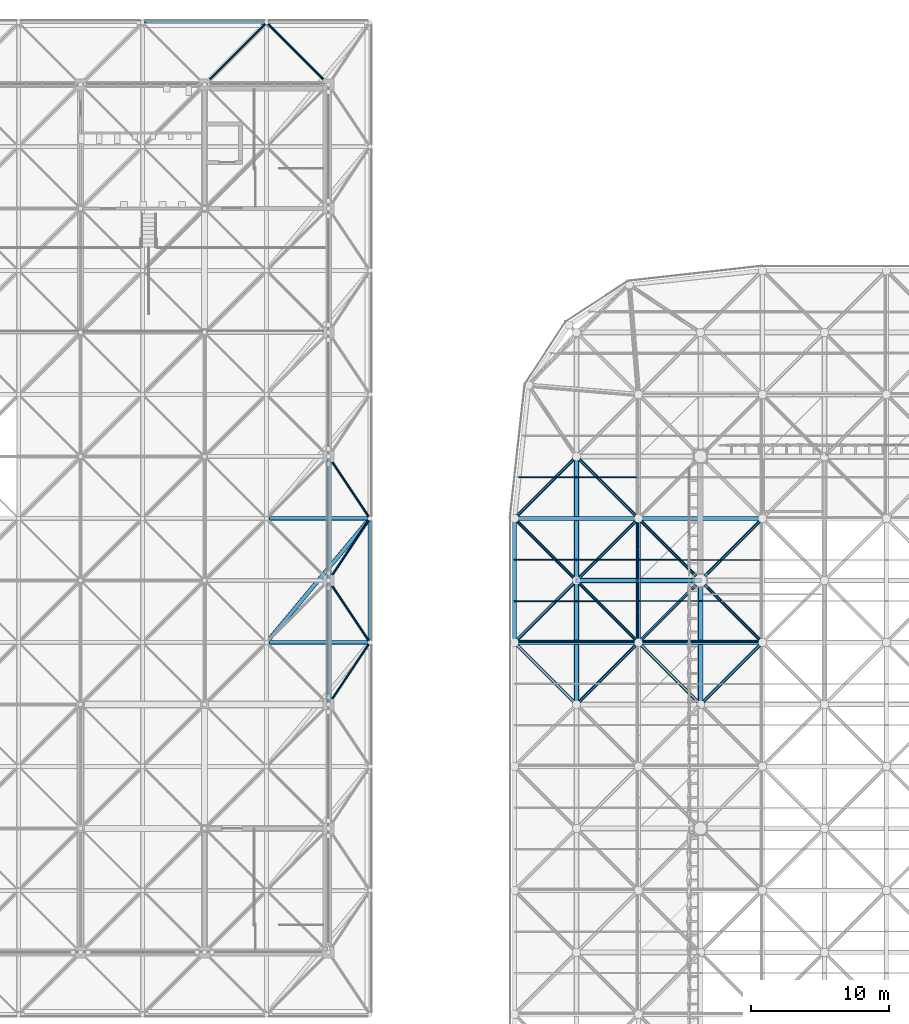
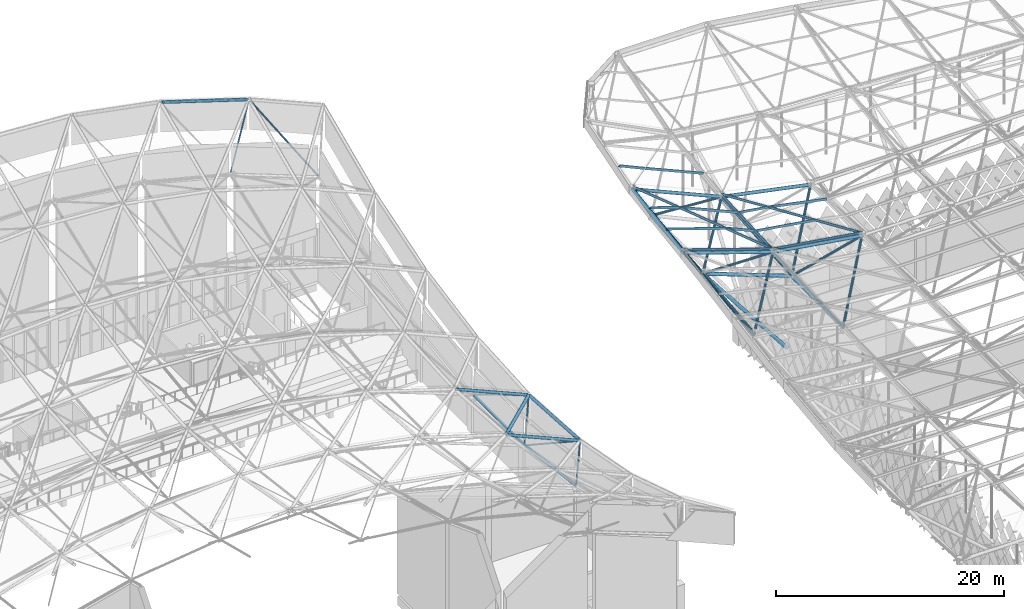
# One storey, part 144 of 437: 52 members.
"""IFC4 building model written with IfcOpenShell, lengths in metres."""

from ifc_helpers import new_model, si_unit, direction, frame, origin, origin_2d, place, context, subcontext, project, spatial, polyline, hollow_circle, outline, extrude, material, material_profile, profile_set, type_object, element, save


model = new_model("IFC4")

# Units and contexts
model_context = context("Model", 3, precision=1e-05, world=origin(), true_north=direction((0.0, 1.0)))
body_context = subcontext(model_context, "Body", "Model", "MODEL_VIEW")
ifc_project = project(units=[si_unit("LENGTHUNIT", "METRE"), si_unit("AREAUNIT", "SQUARE_METRE"), si_unit("VOLUMEUNIT", "CUBIC_METRE"), si_unit("PLANEANGLEUNIT", "RADIAN"), si_unit("MASSUNIT", "GRAM", prefix="KILO")], contexts=[model_context])

# Site, building, storey
site_placement = place(None, origin())
site = spatial("IfcSite", under=ifc_project, at=site_placement, CompositionType="ELEMENT")
building_placement = place(site_placement, origin())
building = spatial("IfcBuilding", under=site, at=building_placement, Name="Opaline Strait Convention Centre", CompositionType="ELEMENT")
storey_placement = place(building_placement, frame((0.0, 0.0, 11.5)))
storey = spatial("IfcBuildingStorey", under=building, at=storey_placement, Name="L02", CompositionType="ELEMENT", Elevation=11.5)

# Members
ifc_material = material(Name="Steel Q355B", Category="steel")
ifc_material_profile_1 = material_profile(ifc_material, hollow_circle(Radius=0.175537109375, WallThickness=0.01611328125, at=origin_2d()), Name="CHS 351x16")
ifc_profile_set_1 = profile_set([ifc_material_profile_1], Name="Steel Q355B")
member_type_1 = type_object("IfcMemberType", Name="Raking prop CHS 351x16", PredefinedType="BRACE", material=ifc_profile_set_1)
member_1_placement = place(storey_placement, frame((98.48388671875, 144.0, 5.0205078125), z_axis=(-0.614884902871, 0.0, 0.788616862755), x_axis=(0.0, -1.0, 0.0)))
element("IfcMember", 1, at=member_1_placement, inside=storey, type_object=member_type_1, Name="Raking prop 99/144 W", PredefinedType="BRACE", context=body_context, shape_type="SweptSolid", body=[
    extrude(hollow_circle(Radius=0.175537109375, WallThickness=0.01611328125, at=origin_2d()), origin(), (0.0, 0.0, 1.0), 13.84765625),
])
ifc_material_profile_2 = material_profile(ifc_material, outline(polyline([(-0.03759765625, -0.125), (0.03759765625, -0.125), (0.03759765625, -0.10498046875), (0.034912109375, -0.10498046875), (0.034912109375, -0.12255859375), (-0.034912109375, -0.12255859375), (-0.034912109375, 0.12255859375), (0.034912109375, 0.12255859375), (0.034912109375, 0.10498046875), (0.03759765625, 0.10498046875), (0.03759765625, 0.125), (-0.03759765625, 0.125), (-0.03759765625, -0.125)])), Name="C 250x75x20x2.5")
ifc_profile_set_2 = profile_set([ifc_material_profile_2], Name="Steel Q355B")
member_type_2 = type_object("IfcMemberType", Name="Roof purlin C 250x75x20x2.5", PredefinedType="PURLIN", material=ifc_profile_set_2)
member_2_placement = place(storey_placement, frame((94.5, 139.5, 19.666015625), z_axis=(-0.66838117447, 0.66838117447, 0.326394257346), x_axis=(-0.672492106724, -0.730507071966, 0.118801448655)))
element("IfcMember", 2, at=member_2_placement, inside=storey, type_object=member_type_2, Name="EXB-RF-F-0-11", PredefinedType="PURLIN", context=body_context, shape_type="SweptSolid", body=[
    extrude(outline(polyline([(-0.03759765625, -0.125), (0.03759765625, -0.125), (0.03759765625, -0.10498046875), (0.034912109375, -0.10498046875), (0.034912109375, -0.12255859375), (-0.034912109375, -0.12255859375), (-0.034912109375, 0.12255859375), (0.034912109375, 0.12255859375), (0.034912109375, 0.10498046875), (0.03759765625, 0.10498046875), (0.03759765625, 0.125), (-0.03759765625, 0.125), (-0.03759765625, -0.125)])), origin(), (0.0, 0.0, 1.0), 13.46533203125),
])
member_3_placement = place(storey_placement, frame((94.41162109375, 139.449951171875, 19.70654296875), z_axis=(0.0, 0.99882696864, 0.048421965239), x_axis=(-0.915532762336, -0.019477416429, 0.401771566115)))
element("IfcMember", 3, at=member_3_placement, inside=storey, type_object=member_type_2, Name="EXB-RF-E-0-11a", PredefinedType="PURLIN", context=body_context, shape_type="SweptSolid", body=[
    extrude(outline(polyline([(-0.03759765625, -0.125), (0.03759765625, -0.125), (0.03759765625, -0.10498046875), (0.034912109375, -0.10498046875), (0.034912109375, -0.12255859375), (-0.034912109375, -0.12255859375), (-0.034912109375, 0.12255859375), (0.034912109375, 0.12255859375), (0.034912109375, 0.10498046875), (0.03759765625, 0.10498046875), (0.03759765625, 0.125), (-0.03759765625, 0.125), (-0.03759765625, -0.125)])), origin(), (0.0, 0.0, 1.0), 9.11083984375),
])
member_4_placement = place(storey_placement, frame((91.550048828125, 142.5, 21.113037109375), z_axis=(0.9153499956, 0.0, -0.402659143142), x_axis=(0.019502042572, 0.998826427329, 0.044333265211)))
element("IfcMember", 4, at=member_4_placement, inside=storey, type_object=member_type_2, Name="EXB-RF-P-0-11-0a", PredefinedType="PURLIN", context=body_context, shape_type="SweptSolid", body=[
    extrude(outline(polyline([(-0.03759765625, -0.125), (0.03759765625, -0.125), (0.03759765625, -0.10498046875), (0.034912109375, -0.10498046875), (0.034912109375, -0.12255859375), (-0.034912109375, -0.12255859375), (-0.034912109375, 0.12255859375), (0.034912109375, 0.12255859375), (0.034912109375, 0.10498046875), (0.03759765625, 0.10498046875), (0.03759765625, 0.125), (-0.03759765625, 0.125), (-0.03759765625, -0.125)])), origin(), (0.0, 0.0, 1.0), 3.088623046875),
])
member_5_placement = place(storey_placement, frame((88.550048828125, 145.5, 22.578125), z_axis=(0.915356308677, 0.0, -0.402644791554), x_axis=(0.01950134748, 0.998826427329, 0.044333570973)))
element("IfcMember", 5, at=member_5_placement, inside=storey, type_object=member_type_2, Name="EXB-RF-P-0-11-1a", PredefinedType="PURLIN", context=body_context, shape_type="SweptSolid", body=[
    extrude(outline(polyline([(-0.03759765625, -0.125), (0.03759765625, -0.125), (0.03759765625, -0.10498046875), (0.034912109375, -0.10498046875), (0.034912109375, -0.12255859375), (-0.034912109375, -0.12255859375), (-0.034912109375, 0.12255859375), (0.034912109375, 0.12255859375), (0.034912109375, 0.10498046875), (0.03759765625, 0.10498046875), (0.03759765625, 0.125), (-0.03759765625, 0.125), (-0.03759765625, -0.125)])), origin(), (0.0, 0.0, 1.0), 6.365966796875),
])
member_6_placement = place(storey_placement, frame((94.550048828125, 139.556884765625, 19.657470703125), z_axis=(-0.94707556838, 0.0, 0.321010697294), x_axis=(-0.044974525914, -0.990136950451, -0.132688022709)))
element("IfcMember", 6, at=member_6_placement, inside=storey, type_object=member_type_2, Name="EXB-RF-E-0-11b", PredefinedType="PURLIN", context=body_context, shape_type="SweptSolid", body=[
    extrude(outline(polyline([(-0.03759765625, -0.125), (0.03759765625, -0.125), (0.03759765625, -0.10498046875), (0.034912109375, -0.10498046875), (0.034912109375, -0.12255859375), (-0.034912109375, -0.12255859375), (-0.034912109375, 0.12255859375), (0.034912109375, 0.12255859375), (0.034912109375, 0.10498046875), (0.03759765625, 0.10498046875), (0.03759765625, 0.125), (-0.03759765625, 0.125), (-0.03759765625, -0.125)])), origin(), (0.0, 0.0, 1.0), 9.608642578125),
])
member_7_placement = place(storey_placement, frame((85.5, 142.5, 23.16455078125), z_axis=(0.947070084803, 0.0, -0.321026874997), x_axis=(0.047436939725, 0.989022311823, 0.139945001577)))
element("IfcMember", 7, at=member_7_placement, inside=storey, type_object=member_type_2, Name="EXB-RF-P-0-11-0b", PredefinedType="PURLIN", context=body_context, shape_type="SweptSolid", body=[
    extrude(outline(polyline([(-0.03759765625, -0.125), (0.03759765625, -0.125), (0.03759765625, -0.10498046875), (0.034912109375, -0.10498046875), (0.034912109375, -0.12255859375), (-0.034912109375, -0.12255859375), (-0.034912109375, 0.12255859375), (0.034912109375, 0.12255859375), (0.034912109375, 0.10498046875), (0.03759765625, 0.10498046875), (0.03759765625, 0.125), (-0.03759765625, 0.125), (-0.03759765625, -0.125)])), origin(), (0.0, 0.0, 1.0), 6.282470703125),
])
member_8_placement = place(storey_placement, frame((85.5, 145.5, 23.612548828125), z_axis=(0.947088093086, 0.0, -0.320973743374), x_axis=(0.047429088664, 0.989022311823, 0.139947662594)))
element("IfcMember", 8, at=member_8_placement, inside=storey, type_object=member_type_2, Name="EXB-RF-P-0-11-1b", PredefinedType="PURLIN", context=body_context, shape_type="SweptSolid", body=[
    extrude(outline(polyline([(-0.03759765625, -0.125), (0.03759765625, -0.125), (0.03759765625, -0.10498046875), (0.034912109375, -0.10498046875), (0.034912109375, -0.12255859375), (-0.034912109375, -0.12255859375), (-0.034912109375, 0.12255859375), (0.034912109375, 0.12255859375), (0.034912109375, 0.10498046875), (0.03759765625, 0.10498046875), (0.03759765625, 0.125), (-0.03759765625, 0.125), (-0.03759765625, -0.125)])), origin(), (0.0, 0.0, 1.0), 3.11474609375),
])
member_9_placement = place(storey_placement, frame((103.5, 139.5, 18.25732421875), z_axis=(-0.699848198846, 0.699848198846, 0.142916049287), x_axis=(-0.697561791101, -0.712686479451, 0.074064361226)))
element("IfcMember", 9, at=member_9_placement, inside=storey, type_object=member_type_2, Name="EXB-RF-F-1-11", PredefinedType="PURLIN", context=body_context, shape_type="SweptSolid", body=[
    extrude(outline(polyline([(-0.03759765625, -0.125), (0.03759765625, -0.125), (0.03759765625, -0.10498046875), (0.034912109375, -0.10498046875), (0.034912109375, -0.12255859375), (-0.034912109375, -0.12255859375), (-0.034912109375, 0.12255859375), (0.034912109375, 0.12255859375), (0.034912109375, 0.10498046875), (0.03759765625, 0.10498046875), (0.03759765625, 0.125), (-0.03759765625, 0.125), (-0.03759765625, -0.125)])), origin(), (0.0, 0.0, 1.0), 12.85986328125),
])
member_10_placement = place(storey_placement, frame((97.550048828125, 145.5, 19.474609375), z_axis=(0.979783458898, 0.0, -0.200060924894), x_axis=(0.0, 1.0, 0.0)))
element("IfcMember", 10, at=member_10_placement, inside=storey, type_object=member_type_2, Name="EXB-RF-P-1-11-1a", PredefinedType="PURLIN", context=body_context, shape_type="SweptSolid", body=[
    extrude(outline(polyline([(-0.03759765625, -0.125), (0.03759765625, -0.125), (0.03759765625, -0.10498046875), (0.034912109375, -0.10498046875), (0.034912109375, -0.12255859375), (-0.034912109375, -0.12255859375), (-0.034912109375, 0.12255859375), (0.034912109375, 0.12255859375), (0.034912109375, 0.10498046875), (0.03759765625, 0.10498046875), (0.03759765625, 0.125), (-0.03759765625, 0.125), (-0.03759765625, -0.125)])), origin(), (0.0, 0.0, 1.0), 5.972412109375),
])
member_11_placement = place(storey_placement, frame((103.550048828125, 139.545654296875, 18.2529296875), z_axis=(-0.988093016125, 0.0, 0.153857698814), x_axis=(-0.007363297001, -0.998854157138, -0.047287996623)))
element("IfcMember", 11, at=member_11_placement, inside=storey, type_object=member_type_2, Name="EXB-RF-E-1-11b", PredefinedType="PURLIN", context=body_context, shape_type="SweptSolid", body=[
    extrude(outline(polyline([(-0.03759765625, -0.125), (0.03759765625, -0.125), (0.03759765625, -0.10498046875), (0.034912109375, -0.10498046875), (0.034912109375, -0.12255859375), (-0.034912109375, -0.12255859375), (-0.034912109375, 0.12255859375), (0.034912109375, 0.12255859375), (0.034912109375, 0.10498046875), (0.03759765625, 0.10498046875), (0.03759765625, 0.125), (-0.03759765625, 0.125), (-0.03759765625, -0.125)])), origin(), (0.0, 0.0, 1.0), 9.209716796875),
])
member_12_placement = place(storey_placement, frame((94.5, 142.5, 19.805419921875), z_axis=(0.988092099011, 0.0, -0.153863588517), x_axis=(0.007452095164, 0.998826427329, 0.047856392952)))
element("IfcMember", 12, at=member_12_placement, inside=storey, type_object=member_type_2, Name="EXB-RF-P-1-11-0b", PredefinedType="PURLIN", context=body_context, shape_type="SweptSolid", body=[
    extrude(outline(polyline([(-0.03759765625, -0.125), (0.03759765625, -0.125), (0.03759765625, -0.10498046875), (0.034912109375, -0.10498046875), (0.034912109375, -0.12255859375), (-0.034912109375, -0.12255859375), (-0.034912109375, 0.12255859375), (0.034912109375, 0.12255859375), (0.034912109375, 0.10498046875), (0.03759765625, 0.10498046875), (0.03759765625, 0.125), (-0.03759765625, 0.125), (-0.03759765625, -0.125)])), origin(), (0.0, 0.0, 1.0), 6.021728515625),
])
member_13_placement = place(storey_placement, frame((94.5, 145.5, 19.950927734375), z_axis=(0.988086366005, 0.0, -0.153900400631), x_axis=(0.00745387809, 0.998826427329, 0.047856115284)))
element("IfcMember", 13, at=member_13_placement, inside=storey, type_object=member_type_2, Name="EXB-RF-P-1-11-1b", PredefinedType="PURLIN", context=body_context, shape_type="SweptSolid", body=[
    extrude(outline(polyline([(-0.03759765625, -0.125), (0.03759765625, -0.125), (0.03759765625, -0.10498046875), (0.034912109375, -0.10498046875), (0.034912109375, -0.12255859375), (-0.034912109375, -0.12255859375), (-0.034912109375, 0.12255859375), (0.034912109375, 0.12255859375), (0.034912109375, 0.10498046875), (0.03759765625, 0.10498046875), (0.03759765625, 0.125), (-0.03759765625, 0.125), (-0.03759765625, -0.125)])), origin(), (0.0, 0.0, 1.0), 2.985595703125),
])
member_14_placement = place(storey_placement, frame((88.550048828125, 151.5, 23.1142578125), z_axis=(0.915348391742, 0.0, -0.402662789111), x_axis=(0.051981759943, 0.991632228384, 0.118166916959)))
element("IfcMember", 14, at=member_14_placement, inside=storey, type_object=member_type_2, Name="EXB-RF-P-0-12-0a", PredefinedType="PURLIN", context=body_context, shape_type="SweptSolid", body=[
    extrude(outline(polyline([(-0.03759765625, -0.125), (0.03759765625, -0.125), (0.03759765625, -0.10498046875), (0.034912109375, -0.10498046875), (0.034912109375, -0.12255859375), (-0.034912109375, -0.12255859375), (-0.034912109375, 0.12255859375), (0.034912109375, 0.12255859375), (0.034912109375, 0.10498046875), (0.03759765625, 0.10498046875), (0.03759765625, 0.125), (-0.03759765625, 0.125), (-0.03759765625, -0.125)])), origin(), (0.0, 0.0, 1.0), 6.3662109375),
])
member_15_placement = place(storey_placement, frame((85.81884765625, 151.5, 24.355224609375), z_axis=(0.910418545684, 0.0, -0.413688375078), x_axis=(0.059244755496, 0.989692168796, 0.130382015517)))
element("IfcMember", 15, at=member_15_placement, inside=storey, type_object=member_type_2, Name="EXB-RF-P-0-12-0b", PredefinedType="PURLIN", context=body_context, shape_type="SweptSolid", body=[
    extrude(outline(polyline([(-0.03759765625, -0.125), (0.03759765625, -0.125), (0.03759765625, -0.10498046875), (0.034912109375, -0.10498046875), (0.034912109375, -0.12255859375), (-0.034912109375, -0.12255859375), (-0.034912109375, 0.12255859375), (0.034912109375, 0.12255859375), (0.034912109375, 0.10498046875), (0.03759765625, 0.10498046875), (0.03759765625, 0.125), (-0.03759765625, 0.125), (-0.03759765625, -0.125)])), origin(), (0.0, 0.0, 1.0), 2.889892578125),
])
ifc_material_profile_3 = material_profile(ifc_material, hollow_circle(Radius=0.136474609375, WallThickness=0.011962890625, at=origin_2d()), Name="CHS 273x12")
ifc_profile_set_3 = profile_set([ifc_material_profile_3], Name="Steel Q355B")
member_type_3 = type_object("IfcMemberType", Name="Shell truss bottom chord CHS 273x12", PredefinedType="CHORD", material=ifc_profile_set_3)
member_16_placement = place(storey_placement, frame((72.0, 135.14990234375, 4.961669921875), z_axis=(0.0, 0.992034447069, -0.125966883853), x_axis=(-1.0, 0.0, 0.0)))
element("IfcMember", 16, at=member_16_placement, inside=storey, type_object=member_type_3, Name="PBC1 bottom chord Y8-3", PredefinedType="CHORD", context=body_context, shape_type="SweptSolid", body=[
    extrude(hollow_circle(Radius=0.136474609375, WallThickness=0.011962890625, at=origin_2d()), origin(), (0.0, 0.0, 1.0), 8.77001953125),
])
member_17_placement = place(storey_placement, frame((72.0, 144.14990234375, 3.837890625), z_axis=(0.0, 1.0, 0.0), x_axis=(-1.0, 0.0, 0.0)))
element("IfcMember", 17, at=member_17_placement, inside=storey, type_object=member_type_3, Name="PBC1 bottom chord Y8-4", PredefinedType="CHORD", context=body_context, shape_type="SweptSolid", body=[
    extrude(hollow_circle(Radius=0.136474609375, WallThickness=0.011962890625, at=origin_2d()), origin(), (0.0, 0.0, 1.0), 8.7001953125),
])
ifc_material_profile_4 = material_profile(ifc_material, hollow_circle(Radius=0.1494140625, WallThickness=0.01611328125, at=origin_2d()), Name="CHS 299x16")
ifc_profile_set_4 = profile_set([ifc_material_profile_4], Name="Steel Q355B")
member_type_4 = type_object("IfcMemberType", Name="Shell truss top chord CHS 299x16", PredefinedType="CHORD", material=ifc_profile_set_4)
for number, where, z_axis, x_axis, name in (
    (18, (67.64990234375, 139.5, 9.20849609375), (0.917383800951, 0.0, -0.398003720777), (0.0, 1.0, 0.0), "PTC1 top chord X8-4"),
    (19, (67.64990234375, 148.5, 8.63720703125), (0.917372443158, 0.0, -0.398029899046), (0.0, 1.0, 0.0), "PTC1 top chord X8-5"),
):
    element("IfcMember", number, at=place(storey_placement, frame(where, z_axis=z_axis, x_axis=x_axis)), inside=storey, type_object=member_type_4, Name=name, PredefinedType="CHORD", context=body_context, shape_type="SweptSolid", body=[
        extrude(hollow_circle(Radius=0.1494140625, WallThickness=0.01611328125, at=origin_2d()), origin(), (0.0, 0.0, 1.0), 7.8486328125),
    ])
member_18_placement = place(storey_placement, frame((58.64990234375, 184.5, 20.654541015625), z_axis=(0.95312438958, 0.0, -0.302578746754), x_axis=(0.0, 1.0, 0.0)))
element("IfcMember", 20, at=member_18_placement, inside=storey, type_object=member_type_4, Name="PTC1 top chord X7-9", PredefinedType="CHORD", context=body_context, shape_type="SweptSolid", body=[
    extrude(hollow_circle(Radius=0.1494140625, WallThickness=0.01611328125, at=origin_2d()), origin(), (0.0, 0.0, 1.0), 9.128173828125),
])
member_19_placement = place(storey_placement, frame((75.0, 139.64990234375, 6.010009765625), z_axis=(0.0, 0.997991520688, -0.063347649001), x_axis=(-1.0, 0.0, 0.0)))
element("IfcMember", 21, at=member_19_placement, inside=storey, type_object=member_type_4, Name="PTC1 top chord Y9-4", PredefinedType="CHORD", context=body_context, shape_type="SweptSolid", body=[
    extrude(hollow_circle(Radius=0.1494140625, WallThickness=0.01611328125, at=origin_2d()), origin(), (0.0, 0.0, 1.0), 8.7177734375),
])
member_20_placement = place(storey_placement, frame((67.595947265625, 139.615234375, 9.224609375), z_axis=(0.608574043554, 0.730272587842, -0.310386180361), x_axis=(-0.768214267482, 0.640192814109, 0.0)))
element("IfcMember", 22, at=member_20_placement, inside=storey, type_object=member_type_4, Name="PTC1 top chord D8-4", PredefinedType="CHORD", context=body_context, shape_type="SweptSolid", body=[
    extrude(hollow_circle(Radius=0.1494140625, WallThickness=0.01611328125, at=origin_2d()), origin(), (0.0, 0.0, 1.0), 12.008544921875),
])
ifc_material_profile_5 = material_profile(ifc_material, hollow_circle(Radius=0.070068359375, WallThickness=0.008056640625, at=origin_2d()), Name="CHS 140x8")
ifc_profile_set_5 = profile_set([ifc_material_profile_5], Name="Steel Q355B")
member_type_5 = type_object("IfcMemberType", Name="Shell truss web CHS 140x8", PredefinedType="BRACE", material=ifc_profile_set_5)
member_21_placement = place(storey_placement, frame((63.106201171875, 180.106201171875, 14.211181640625), z_axis=(0.610386818671, 0.610386818671, 0.504832510033), x_axis=(-0.707106781187, 0.707106781187, 0.0)))
element("IfcMember", 23, at=member_21_placement, inside=storey, type_object=member_type_5, Name="PWB2 web 7-8bd", PredefinedType="BRACE", context=body_context, shape_type="SweptSolid", body=[
    extrude(hollow_circle(Radius=0.070068359375, WallThickness=0.008056640625, at=origin_2d()), origin(), (0.0, 0.0, 1.0), 7.0244140625),
])
ifc_material_profile_6 = material_profile(ifc_material, hollow_circle(Radius=0.083984375, WallThickness=0.010009765625, at=origin_2d()), Name="CHS 168x10")
ifc_profile_set_6 = profile_set([ifc_material_profile_6], Name="Steel Q355B")
member_type_6 = type_object("IfcMemberType", Name="Shell truss web CHS 168x10", PredefinedType="BRACE", material=ifc_profile_set_6)
member_22_placement = place(storey_placement, frame((72.083251953125, 135.124755859375, 5.009521484375), z_axis=(0.54472074795, 0.817128056333, 0.188629388765), x_axis=(-0.832064999387, 0.554678138018, 0.0)))
element("IfcMember", 24, at=member_22_placement, inside=storey, type_object=member_type_6, Name="PWB1 web 8-3bd", PredefinedType="BRACE", context=body_context, shape_type="SweptSolid", body=[
    extrude(hollow_circle(Radius=0.083984375, WallThickness=0.010009765625, at=origin_2d()), origin(), (0.0, 0.0, 1.0), 5.20166015625),
])
member_23_placement = place(storey_placement, frame((72.083251953125, 143.875244140625, 3.8984375), z_axis=(0.514406220671, -0.771653653444, 0.374081380533), x_axis=(0.832064999387, 0.554678138018, 0.0)))
element("IfcMember", 25, at=member_23_placement, inside=storey, type_object=member_type_6, Name="PWB1 web 8-4bc", PredefinedType="BRACE", context=body_context, shape_type="SweptSolid", body=[
    extrude(hollow_circle(Radius=0.083984375, WallThickness=0.010009765625, at=origin_2d()), origin(), (0.0, 0.0, 1.0), 5.50830078125),
])
for number, where, z_axis, x_axis, name in (
    (26, (72.083251953125, 144.124755859375, 3.882568359375), (0.531613899654, 0.797466654574, 0.285365724181), (-0.832064999387, 0.554678138018, 0.0), "PWB1 web 8-4bd"),
    (27, (72.083251953125, 152.875244140625, 3.882568359375), (0.531613899654, -0.797466654574, 0.285365724181), (0.832064999387, 0.554678138018, 0.0), "PWB1 web 8-5bc"),
):
    element("IfcMember", number, at=place(storey_placement, frame(where, z_axis=z_axis, x_axis=x_axis)), inside=storey, type_object=member_type_6, Name=name, PredefinedType="BRACE", context=body_context, shape_type="SweptSolid", body=[
        extrude(hollow_circle(Radius=0.083984375, WallThickness=0.010009765625, at=origin_2d()), origin(), (0.0, 0.0, 1.0), 5.330078125),
    ])
member_24_placement = place(storey_placement, frame((71.905517578125, 180.094482421875, 10.844970703125), z_axis=(-0.470109852598, 0.470109852598, 0.746989593623), x_axis=(-0.707106781187, -0.707106781187, 0.0)))
element("IfcMember", 28, at=member_24_placement, inside=storey, type_object=member_type_6, Name="PWB1 web 8-8ad", PredefinedType="BRACE", context=body_context, shape_type="SweptSolid", body=[
    extrude(hollow_circle(Radius=0.083984375, WallThickness=0.010009765625, at=origin_2d()), origin(), (0.0, 0.0, 1.0), 9.170166015625),
])
ifc_material_profile_7 = material_profile(ifc_material, hollow_circle(Radius=0.175537109375, WallThickness=0.01611328125, at=origin_2d()), Name="CHS 351x16")
ifc_profile_set_7 = profile_set([ifc_material_profile_7], Name="Steel Q355B")
member_type_7 = type_object("IfcMemberType", Name="Space frame bottom chord CHS 351x16", PredefinedType="CHORD", material=ifc_profile_set_7)
member_25_placement = place(storey_placement, frame((89.953125, 144.0, 15.919189453125), z_axis=(0.935426145713, 0.0, -0.353522171746), x_axis=(0.0, 1.0, 0.0)))
element("IfcMember", 29, at=member_25_placement, inside=storey, type_object=member_type_7, Name="EXB-RF-BX-0-11", PredefinedType="CHORD", context=body_context, shape_type="SweptSolid", body=[
    extrude(hollow_circle(Radius=0.175537109375, WallThickness=0.01611328125, at=origin_2d()), origin(), (0.0, 0.0, 1.0), 9.721435546875),
])
member_26_placement = place(storey_placement, frame((90.0, 134.9501953125, 14.9052734375), z_axis=(0.0, 0.993995425291, 0.109421636348), x_axis=(-1.0, 0.0, 0.0)))
element("IfcMember", 30, at=member_26_placement, inside=storey, type_object=member_type_7, Name="EXB-RF-BY-0-10", PredefinedType="CHORD", context=body_context, shape_type="SweptSolid", body=[
    extrude(hollow_circle(Radius=0.175537109375, WallThickness=0.01611328125, at=origin_2d()), origin(), (0.0, 0.0, 1.0), 9.154541015625),
])
member_27_placement = place(storey_placement, frame((90.0, 143.9501953125, 15.897216796875), z_axis=(0.0, 0.996499137169, 0.083603047916), x_axis=(-1.0, 0.0, 0.0)))
element("IfcMember", 31, at=member_27_placement, inside=storey, type_object=member_type_7, Name="EXB-RF-BY-0-11", PredefinedType="CHORD", context=body_context, shape_type="SweptSolid", body=[
    extrude(hollow_circle(Radius=0.175537109375, WallThickness=0.01611328125, at=origin_2d()), origin(), (0.0, 0.0, 1.0), 9.131591796875),
])
member_28_placement = place(storey_placement, frame((99.0, 134.949951171875, 12.5), z_axis=(0.0, 1.0, 0.0), x_axis=(-1.0, 0.0, 0.0)))
element("IfcMember", 32, at=member_28_placement, inside=storey, type_object=member_type_7, Name="EXB-RF-BY-1-10", PredefinedType="CHORD", context=body_context, shape_type="SweptSolid", body=[
    extrude(hollow_circle(Radius=0.175537109375, WallThickness=0.01611328125, at=origin_2d()), origin(), (0.0, 0.0, 1.0), 9.10009765625),
])
ifc_material_profile_8 = material_profile(ifc_material, hollow_circle(Radius=0.16259765625, WallThickness=0.02001953125, at=origin_2d()), Name="CHS 325x20")
ifc_profile_set_8 = profile_set([ifc_material_profile_8], Name="Steel Q355B")
member_type_8 = type_object("IfcMemberType", Name="Space frame top chord CHS 325x20", PredefinedType="CHORD", material=ifc_profile_set_8)
member_29_placement = place(storey_placement, frame((85.45263671875, 139.5, 22.439697265625), z_axis=(0.947072036929, 0.0, -0.321021115921), x_axis=(0.0, 1.0, 0.0)))
element("IfcMember", 33, at=member_29_placement, inside=storey, type_object=member_type_8, Name="EXB-RF-TX-0-11", PredefinedType="CHORD", context=body_context, shape_type="SweptSolid", body=[
    extrude(hollow_circle(Radius=0.16259765625, WallThickness=0.02001953125, at=origin_2d()), origin(), (0.0, 0.0, 1.0), 9.60302734375),
])
member_30_placement = place(storey_placement, frame((94.45068359375, 139.5, 19.380615234375), z_axis=(0.988093281059, 0.0, -0.15385599737), x_axis=(0.0, 1.0, 0.0)))
element("IfcMember", 34, at=member_30_placement, inside=storey, type_object=member_type_8, Name="EXB-RF-TX-1-11", PredefinedType="CHORD", context=body_context, shape_type="SweptSolid", body=[
    extrude(hollow_circle(Radius=0.16259765625, WallThickness=0.02001953125, at=origin_2d()), origin(), (0.0, 0.0, 1.0), 9.208251953125),
])
member_31_placement = place(storey_placement, frame((85.454345703125, 148.5, 23.788330078125), z_axis=(0.915357797375, 0.0, -0.402641407192), x_axis=(0.0, 1.0, 0.0)))
element("IfcMember", 35, at=member_31_placement, inside=storey, type_object=member_type_8, Name="EXB-RF-TX-0-12", PredefinedType="CHORD", context=body_context, shape_type="SweptSolid", body=[
    extrude(hollow_circle(Radius=0.16259765625, WallThickness=0.02001953125, at=origin_2d()), origin(), (0.0, 0.0, 1.0), 9.931884765625),
])
member_32_placement = place(storey_placement, frame((94.450927734375, 148.5, 19.8193359375), z_axis=(0.979779873088, 0.0, -0.200078485327), x_axis=(0.0, 1.0, 0.0)))
element("IfcMember", 36, at=member_32_placement, inside=storey, type_object=member_type_8, Name="EXB-RF-TX-1-12", PredefinedType="CHORD", context=body_context, shape_type="SweptSolid", body=[
    extrude(hollow_circle(Radius=0.16259765625, WallThickness=0.02001953125, at=origin_2d()), origin(), (0.0, 0.0, 1.0), 9.285888671875),
])
member_33_placement = place(storey_placement, frame((85.5, 139.450439453125, 22.416259765625), z_axis=(0.0, 0.989023771129, 0.147756489339), x_axis=(-1.0, 0.0, 0.0)))
element("IfcMember", 37, at=member_33_placement, inside=storey, type_object=member_type_8, Name="EXB-RF-TY-0-11", PredefinedType="CHORD", context=body_context, shape_type="SweptSolid", body=[
    extrude(hollow_circle(Radius=0.16259765625, WallThickness=0.02001953125, at=origin_2d()), origin(), (0.0, 0.0, 1.0), 9.2001953125),
])
member_34_placement = place(storey_placement, frame((94.5, 139.449951171875, 19.37060546875), z_axis=(0.0, 0.99882696864, 0.048421965239), x_axis=(-1.0, 0.0, 0.0)))
element("IfcMember", 38, at=member_34_placement, inside=storey, type_object=member_type_8, Name="EXB-RF-TY-1-11", PredefinedType="CHORD", context=body_context, shape_type="SweptSolid", body=[
    extrude(hollow_circle(Radius=0.16259765625, WallThickness=0.02001953125, at=origin_2d()), origin(), (0.0, 0.0, 1.0), 9.11083984375),
])
ifc_material_profile_9 = material_profile(ifc_material, hollow_circle(Radius=0.12255859375, WallThickness=0.011962890625, at=origin_2d()), Name="CHS 245x12")
ifc_profile_set_9 = profile_set([ifc_material_profile_9], Name="Steel Q355B")
member_type_9 = type_object("IfcMemberType", Name="Space frame web CHS 245x12", PredefinedType="BRACE", material=ifc_profile_set_9)
member_35_placement = place(storey_placement, frame((85.47705078125, 139.52294921875, 22.461669921875), z_axis=(0.457053151729, -0.457053151729, -0.763023481283), x_axis=(0.707106781187, 0.707106781187, 0.0)))
element("IfcMember", 39, at=member_35_placement, inside=storey, type_object=member_type_9, Name="EXB-RF-W-0-10-01", PredefinedType="BRACE", context=body_context, shape_type="SweptSolid", body=[
    extrude(hollow_circle(Radius=0.12255859375, WallThickness=0.011962890625, at=origin_2d()), origin(), (0.0, 0.0, 1.0), 9.946044921875),
])
member_36_placement = place(storey_placement, frame((94.529052734375, 139.529052734375, 19.401611328125), z_axis=(-0.578978904854, -0.578978904854, -0.574079136939), x_axis=(0.707106781187, -0.707106781187, 0.0)))
element("IfcMember", 40, at=member_36_placement, inside=storey, type_object=member_type_9, Name="EXB-RF-W-0-10-11", PredefinedType="BRACE", context=body_context, shape_type="SweptSolid", body=[
    extrude(hollow_circle(Radius=0.12255859375, WallThickness=0.011962890625, at=origin_2d()), origin(), (0.0, 0.0, 1.0), 7.87255859375),
])
member_37_placement = place(storey_placement, frame((85.475341796875, 139.475341796875, 22.459228515625), z_axis=(0.493829497226, 0.493829497226, -0.715726802167), x_axis=(-0.707106781187, 0.707106781187, 0.0)))
element("IfcMember", 41, at=member_37_placement, inside=storey, type_object=member_type_9, Name="EXB-RF-W-0-11-00", PredefinedType="BRACE", context=body_context, shape_type="SweptSolid", body=[
    extrude(hollow_circle(Radius=0.12255859375, WallThickness=0.011962890625, at=origin_2d()), origin(), (0.0, 0.0, 1.0), 9.21240234375),
])
member_38_placement = place(storey_placement, frame((85.477783203125, 148.522216796875, 23.80712890625), z_axis=(0.444721060586, -0.444721060586, -0.777461482353), x_axis=(0.707106781187, 0.707106781187, 0.0)))
element("IfcMember", 42, at=member_38_placement, inside=storey, type_object=member_type_9, Name="EXB-RF-W-0-11-01", PredefinedType="BRACE", context=body_context, shape_type="SweptSolid", body=[
    extrude(hollow_circle(Radius=0.12255859375, WallThickness=0.011962890625, at=origin_2d()), origin(), (0.0, 0.0, 1.0), 10.218505859375),
])
member_39_placement = place(storey_placement, frame((94.531005859375, 139.468994140625, 19.39697265625), z_axis=(-0.620747928785, 0.620747928785, -0.478898755291), x_axis=(-0.707106781187, -0.707106781187, 0.0)))
element("IfcMember", 43, at=member_39_placement, inside=storey, type_object=member_type_9, Name="EXB-RF-W-0-11-10", PredefinedType="BRACE", context=body_context, shape_type="SweptSolid", body=[
    extrude(hollow_circle(Radius=0.12255859375, WallThickness=0.011962890625, at=origin_2d()), origin(), (0.0, 0.0, 1.0), 7.34912109375),
])
member_40_placement = place(storey_placement, frame((94.530029296875, 148.530029296875, 19.83544921875), z_axis=(-0.60256121026, -0.60256121026, -0.523297215528), x_axis=(0.707106781187, -0.707106781187, 0.0)))
element("IfcMember", 44, at=member_40_placement, inside=storey, type_object=member_type_9, Name="EXB-RF-W-0-11-11", PredefinedType="BRACE", context=body_context, shape_type="SweptSolid", body=[
    extrude(hollow_circle(Radius=0.12255859375, WallThickness=0.011962890625, at=origin_2d()), origin(), (0.0, 0.0, 1.0), 7.56787109375),
])
member_41_placement = place(storey_placement, frame((85.476318359375, 148.476318359375, 23.805419921875), z_axis=(0.471540529524, 0.471540529524, -0.745183908866), x_axis=(-0.707106781187, 0.707106781187, 0.0)))
element("IfcMember", 45, at=member_41_placement, inside=storey, type_object=member_type_9, Name="EXB-RF-W-0-12-00", PredefinedType="BRACE", context=body_context, shape_type="SweptSolid", body=[
    extrude(hollow_circle(Radius=0.12255859375, WallThickness=0.011962890625, at=origin_2d()), origin(), (0.0, 0.0, 1.0), 9.6435546875),
])
member_42_placement = place(storey_placement, frame((94.53173828125, 148.46826171875, 19.83154296875), z_axis=(-0.63361366965, 0.63361366965, -0.443922780747), x_axis=(-0.707106781187, -0.707106781187, 0.0)))
element("IfcMember", 46, at=member_42_placement, inside=storey, type_object=member_type_9, Name="EXB-RF-W-0-12-10", PredefinedType="BRACE", context=body_context, shape_type="SweptSolid", body=[
    extrude(hollow_circle(Radius=0.12255859375, WallThickness=0.011962890625, at=origin_2d()), origin(), (0.0, 0.0, 1.0), 7.202392578125),
])
member_43_placement = place(storey_placement, frame((94.47607421875, 139.52392578125, 19.40966796875), z_axis=(0.480409370333, -0.480409370333, -0.733766770706), x_axis=(0.707106781187, 0.707106781187, 0.0)))
element("IfcMember", 47, at=member_43_placement, inside=storey, type_object=member_type_9, Name="EXB-RF-W-1-10-01", PredefinedType="BRACE", context=body_context, shape_type="SweptSolid", body=[
    extrude(hollow_circle(Radius=0.12255859375, WallThickness=0.011962890625, at=origin_2d()), origin(), (0.0, 0.0, 1.0), 9.466552734375),
])
member_44_placement = place(storey_placement, frame((103.52685546875, 139.52685546875, 18.004150390625), z_axis=(-0.536178220346, -0.536178220346, -0.6519400525), x_axis=(0.707106781187, -0.707106781187, 0.0)))
element("IfcMember", 48, at=member_44_placement, inside=storey, type_object=member_type_9, Name="EXB-RF-W-1-10-11", PredefinedType="BRACE", context=body_context, shape_type="SweptSolid", body=[
    extrude(hollow_circle(Radius=0.12255859375, WallThickness=0.011962890625, at=origin_2d()), origin(), (0.0, 0.0, 1.0), 8.492919921875),
])
member_45_placement = place(storey_placement, frame((94.47607421875, 139.47607421875, 19.40966796875), z_axis=(0.480409370333, 0.480409370333, -0.733766770706), x_axis=(-0.707106781187, 0.707106781187, 0.0)))
element("IfcMember", 49, at=member_45_placement, inside=storey, type_object=member_type_9, Name="EXB-RF-W-1-11-00", PredefinedType="BRACE", context=body_context, shape_type="SweptSolid", body=[
    extrude(hollow_circle(Radius=0.12255859375, WallThickness=0.011962890625, at=origin_2d()), origin(), (0.0, 0.0, 1.0), 9.466552734375),
])
member_46_placement = place(storey_placement, frame((94.476806640625, 148.523193359375, 19.84716796875), z_axis=(0.464318393321, -0.464318393321, -0.754199482396), x_axis=(0.707106781187, 0.707106781187, 0.0)))
element("IfcMember", 50, at=member_46_placement, inside=storey, type_object=member_type_9, Name="EXB-RF-W-1-11-01", PredefinedType="BRACE", context=body_context, shape_type="SweptSolid", body=[
    extrude(hollow_circle(Radius=0.12255859375, WallThickness=0.011962890625, at=origin_2d()), origin(), (0.0, 0.0, 1.0), 9.79150390625),
])
for number, where, z_axis, x_axis, name in (
    (51, (103.52685546875, 139.47314453125, 18.004150390625), (-0.536178220346, 0.536178220346, -0.6519400525), (-0.707106781187, -0.707106781187, 0.0), "EXB-RF-W-1-11-10"),
    (52, (103.52685546875, 148.52685546875, 18.004150390625), (-0.536178220346, -0.536178220346, -0.6519400525), (0.707106781187, -0.707106781187, 0.0), "EXB-RF-W-1-11-11"),
):
    element("IfcMember", number, at=place(storey_placement, frame(where, z_axis=z_axis, x_axis=x_axis)), inside=storey, type_object=member_type_9, Name=name, PredefinedType="BRACE", context=body_context, shape_type="SweptSolid", body=[
        extrude(hollow_circle(Radius=0.12255859375, WallThickness=0.011962890625, at=origin_2d()), origin(), (0.0, 0.0, 1.0), 8.492919921875),
    ])

save(model, "model.ifc")
